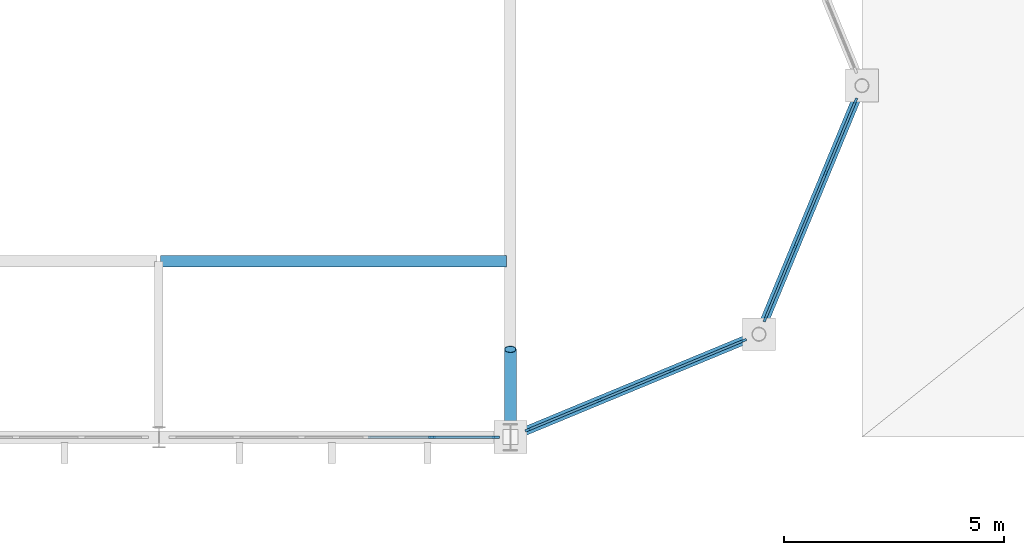
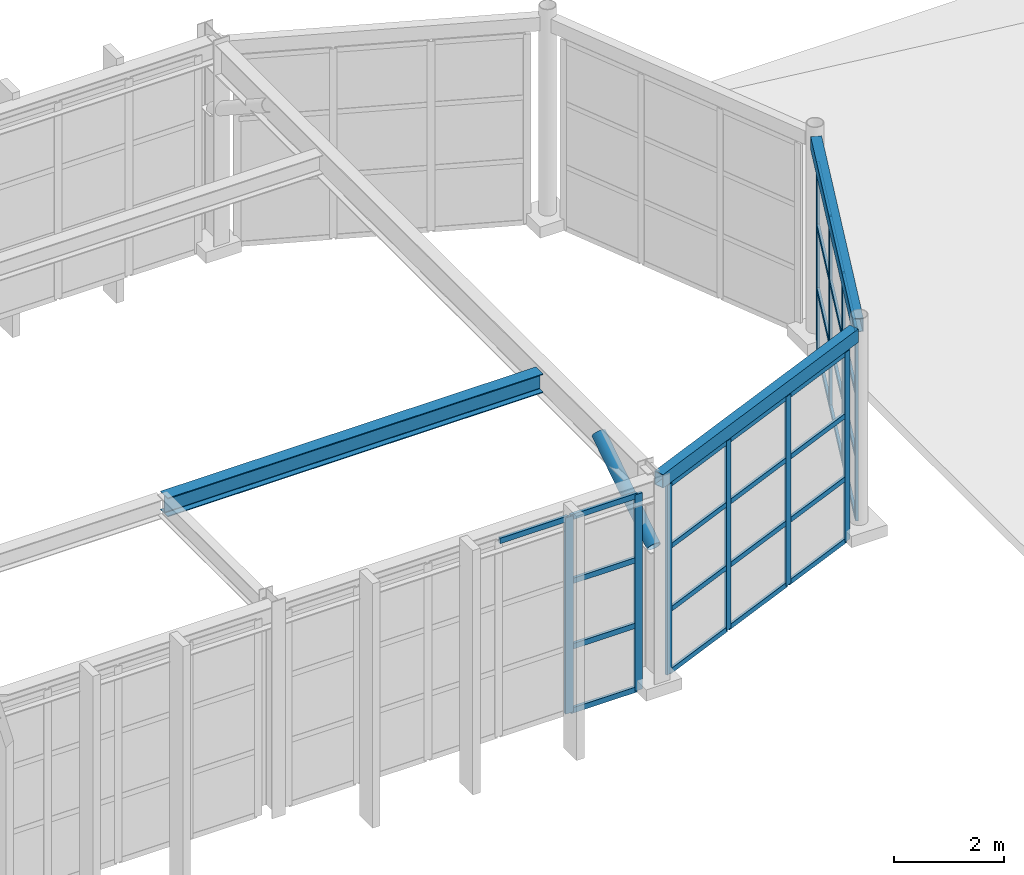
# One storey, part 31 of 61: 40 members, 3 beams, 3 elements without a shape of their own.
"""IFC4 building model written with IfcOpenShell, lengths in metres."""

from ifc_helpers import new_model, si_unit, direction, frame, origin, origin_2d, place, context, subcontext, project, spatial, rectangle, hollow_rectangle, hollow_circle, i_section, extrude, material, material_profile, profile_set, type_object, element, aggregate, save


model = new_model("IFC4")

# Units and contexts
model_context = context("Model", 3, precision=1e-05, world=origin(), true_north=direction((0.0, 1.0)))
body_context = subcontext(model_context, "Body", "Model", "MODEL_VIEW")
ifc_project = project(units=[si_unit("LENGTHUNIT", "METRE"), si_unit("AREAUNIT", "SQUARE_METRE"), si_unit("VOLUMEUNIT", "CUBIC_METRE"), si_unit("PLANEANGLEUNIT", "RADIAN"), si_unit("MASSUNIT", "GRAM", prefix="KILO")], contexts=[model_context])

# Site, building, storey
site_placement = place(None, origin())
site = spatial("IfcSite", under=ifc_project, at=site_placement, CompositionType="ELEMENT")
building_placement = place(site_placement, origin())
building = spatial("IfcBuilding", under=site, at=building_placement, Name="Serraluz Foothill Cableway Terminal", CompositionType="ELEMENT")
storey_placement = place(building_placement, frame((0.0, 0.0, 15.0)))
storey = spatial("IfcBuildingStorey", under=building, at=storey_placement, Name="L03", CompositionType="ELEMENT", Elevation=15.0)

# Curtain wall, members
ifc_material_1 = material(Name="Architectural bronze alloy C28000", Category="aluminium")
curtain_wall_type_1 = type_object("IfcCurtainWallType", Name="TYP-CW-440X360", PredefinedType="NOTDEFINED", material=ifc_material_1)
curtain_wall_1_placement = place(storey_placement, origin())
curtain_wall_1 = element("IfcCurtainWall", 1, at=curtain_wall_1_placement, inside=storey, type_object=curtain_wall_type_1, Name="Ribbed Glazed Curtain Wall CW-V1-E-L03-3", PredefinedType="NOTDEFINED")
ifc_material_2 = material(Name="Extruded aluminium 6063-T6", Category="aluminium")
ifc_material_profile_1 = material_profile(ifc_material_2, rectangle(XDim=0.054931640625, YDim=0.139892578125, at=origin_2d()), Name="ALU MULLION 55x140")
ifc_profile_set_1 = profile_set([ifc_material_profile_1], Name="Extruded aluminium 6063-T6")
member_type_1 = type_object("IfcMemberType", Name="TYP-CW-MUL-55X140", PredefinedType="MULLION", material=ifc_profile_set_1)
member_1_placement = place(storey_placement, frame((159.85498046875, 63.64990234375, 0.0), z_axis=(0.0, 0.0, 1.0), x_axis=(0.923878982655, -0.382684759834, 0.0)))
member_1 = element("IfcMember", 2, at=member_1_placement, type_object=member_type_1, Name="CW-16 mullion 1", PredefinedType="MULLION", context=body_context, shape_type="SweptSolid", body=[
    extrude(rectangle(XDim=0.054931640625, YDim=0.139892578125, at=origin_2d()), origin(), (0.0, 0.0, 1.0), 4.199951171875),
])
member_2_placement = place(storey_placement, frame((159.174072265625, 62.006103515625, 0.0), z_axis=(0.0, 0.0, 1.0), x_axis=(0.923878982655, -0.382684759834, 0.0)))
member_2 = element("IfcMember", 3, at=member_2_placement, type_object=member_type_1, Name="CW-16 mullion 2", PredefinedType="MULLION", context=body_context, shape_type="SweptSolid", body=[
    extrude(rectangle(XDim=0.054931640625, YDim=0.139892578125, at=origin_2d()), origin(), (0.0, 0.0, 1.0), 4.199951171875),
])
member_3_placement = place(storey_placement, frame((158.482666015625, 60.3369140625, 0.0), z_axis=(0.0, 0.0, 1.0), x_axis=(0.923878982655, -0.382684759834, 0.0)))
member_3 = element("IfcMember", 4, at=member_3_placement, type_object=member_type_1, Name="CW-16 mullion 3", PredefinedType="MULLION", context=body_context, shape_type="SweptSolid", body=[
    extrude(rectangle(XDim=0.054931640625, YDim=0.139892578125, at=origin_2d()), origin(), (0.0, 0.0, 1.0), 4.199951171875),
])
member_4_placement = place(storey_placement, frame((157.802001953125, 58.693359375, 0.0), z_axis=(0.0, 0.0, 1.0), x_axis=(0.923878982655, -0.382684759834, 0.0)))
member_4 = element("IfcMember", 5, at=member_4_placement, type_object=member_type_1, Name="CW-16 mullion 4", PredefinedType="MULLION", context=body_context, shape_type="SweptSolid", body=[
    extrude(rectangle(XDim=0.054931640625, YDim=0.139892578125, at=origin_2d()), origin(), (0.0, 0.0, 1.0), 4.199951171875),
])

curtain_wall_type_2 = type_object("IfcCurtainWallType", Name="TYP-CW-380X420", PredefinedType="NOTDEFINED", material=ifc_material_1)
curtain_wall_2_placement = place(storey_placement, origin())
curtain_wall_2 = element("IfcCurtainWall", 6, at=curtain_wall_2_placement, inside=storey, type_object=curtain_wall_type_2, Name="Ribbed Glazed Curtain Wall CW-V1-E-L03-4", PredefinedType="NOTDEFINED")
member_5_placement = place(storey_placement, frame((157.306640625, 58.197998046875, 0.0), z_axis=(0.0, 0.0, 1.0), x_axis=(0.382681674752, -0.923880260537, 0.0)))
member_5 = element("IfcMember", 7, at=member_5_placement, type_object=member_type_1, Name="CW-17 mullion 1", PredefinedType="MULLION", context=body_context, shape_type="SweptSolid", body=[
    extrude(rectangle(XDim=0.054931640625, YDim=0.139892578125, at=origin_2d()), origin(), (0.0, 0.0, 1.0), 4.199951171875),
])
member_6_placement = place(storey_placement, frame((155.680419921875, 57.5244140625, 0.0), z_axis=(0.0, 0.0, 1.0), x_axis=(0.382681674752, -0.923880260537, 0.0)))
member_6 = element("IfcMember", 8, at=member_6_placement, type_object=member_type_1, Name="CW-17 mullion 2", PredefinedType="MULLION", context=body_context, shape_type="SweptSolid", body=[
    extrude(rectangle(XDim=0.054931640625, YDim=0.139892578125, at=origin_2d()), origin(), (0.0, 0.0, 1.0), 4.199951171875),
])
member_7_placement = place(storey_placement, frame((154.028564453125, 56.84033203125, 0.0), z_axis=(0.0, 0.0, 1.0), x_axis=(0.382681674752, -0.923880260537, 0.0)))
member_7 = element("IfcMember", 9, at=member_7_placement, type_object=member_type_1, Name="CW-17 mullion 3", PredefinedType="MULLION", context=body_context, shape_type="SweptSolid", body=[
    extrude(rectangle(XDim=0.054931640625, YDim=0.139892578125, at=origin_2d()), origin(), (0.0, 0.0, 1.0), 4.199951171875),
])
member_8_placement = place(storey_placement, frame((152.40234375, 56.16650390625, 0.0), z_axis=(0.0, 0.0, 1.0), x_axis=(0.382681674752, -0.923880260537, 0.0)))
member_8 = element("IfcMember", 10, at=member_8_placement, type_object=member_type_1, Name="CW-17 mullion 4", PredefinedType="MULLION", context=body_context, shape_type="SweptSolid", body=[
    extrude(rectangle(XDim=0.054931640625, YDim=0.139892578125, at=origin_2d()), origin(), (0.0, 0.0, 1.0), 4.199951171875),
])

curtain_wall_type_3 = type_object("IfcCurtainWallType", Name="TYP-CW-1120X420", PredefinedType="NOTDEFINED", material=ifc_material_1)
curtain_wall_3_placement = place(storey_placement, origin())
curtain_wall_3 = element("IfcCurtainWall", 11, at=curtain_wall_3_placement, inside=storey, type_object=curtain_wall_type_3, Name="Ribbed Glazed Curtain Wall CW-V1S-L03-144", PredefinedType="NOTDEFINED")
ifc_material_profile_2 = material_profile(ifc_material_1, rectangle(XDim=0.06005859375, YDim=0.159912109375, at=origin_2d()), Name="ALU MULLION 60x160")
ifc_profile_set_2 = profile_set([ifc_material_profile_2], Name="Architectural bronze alloy C28000")
member_type_2 = type_object("IfcMemberType", Name="TYP-CW-MUL-60X160", PredefinedType="MULLION", material=ifc_profile_set_2)
member_9_placement = place(storey_placement, frame((151.66748046875, 56.0, 0.0), z_axis=(0.0, 0.0, 1.0), x_axis=(0.0, -1.0, 0.0)))
member_9 = element("IfcMember", 12, at=member_9_placement, type_object=member_type_2, Name="CW-21 mullion 1", PredefinedType="MULLION", context=body_context, shape_type="SweptSolid", body=[
    extrude(rectangle(XDim=0.06005859375, YDim=0.159912109375, at=origin_2d()), origin(), (0.0, 0.0, 1.0), 4.35009765625),
])
member_10_placement = place(storey_placement, frame((150.21435546875, 56.0, 0.0), z_axis=(0.0, 0.0, 1.0), x_axis=(0.0, -1.0, 0.0)))
member_10 = element("IfcMember", 13, at=member_10_placement, type_object=member_type_2, Name="CW-21 mullion 2", PredefinedType="MULLION", context=body_context, shape_type="SweptSolid", body=[
    extrude(rectangle(XDim=0.06005859375, YDim=0.159912109375, at=origin_2d()), origin(), (0.0, 0.0, 1.0), 4.35009765625),
])

# Member
ifc_material_profile_3 = material_profile(ifc_material_2, rectangle(XDim=0.054931640625, YDim=0.110107421875, at=origin_2d()), Name="ALU TRANSOM 55x110")
ifc_profile_set_3 = profile_set([ifc_material_profile_3], Name="Extruded aluminium 6063-T6")
member_type_3 = type_object("IfcMemberType", Name="TYP-CW-TRN-55X110", PredefinedType="USERDEFINED", material=ifc_profile_set_3)
member_11_placement = place(storey_placement, frame((159.844482421875, 63.624267578125, 0.027587890625), z_axis=(-0.382764500292, -0.92384594891, 0.0), x_axis=(0.92384594891, -0.382764500292, 0.0)))
member_11 = element("IfcMember", 14, at=member_11_placement, type_object=member_type_3, Name="CW-16 transom 1.1", ObjectType="TRANSOM", PredefinedType="USERDEFINED", context=body_context, shape_type="SweptSolid", body=[
    extrude(rectangle(XDim=0.054931640625, YDim=0.110107421875, at=origin_2d()), origin(), (0.0, 0.0, 1.0), 1.72412109375),
])

member_12_placement = place(storey_placement, frame((159.844482421875, 63.624267578125, 1.39990234375), z_axis=(-0.382764500292, -0.92384594891, 0.0), x_axis=(0.92384594891, -0.382764500292, 0.0)))
member_12 = element("IfcMember", 15, at=member_12_placement, type_object=member_type_3, Name="CW-16 transom 1.2", ObjectType="TRANSOM", PredefinedType="USERDEFINED", context=body_context, shape_type="SweptSolid", body=[
    extrude(rectangle(XDim=0.054931640625, YDim=0.110107421875, at=origin_2d()), origin(), (0.0, 0.0, 1.0), 1.72412109375),
])

member_13_placement = place(storey_placement, frame((159.844482421875, 63.624267578125, 2.800048828125), z_axis=(-0.382764500292, -0.92384594891, 0.0), x_axis=(0.92384594891, -0.382764500292, 0.0)))
member_13 = element("IfcMember", 16, at=member_13_placement, type_object=member_type_3, Name="CW-16 transom 1.3", ObjectType="TRANSOM", PredefinedType="USERDEFINED", context=body_context, shape_type="SweptSolid", body=[
    extrude(rectangle(XDim=0.054931640625, YDim=0.110107421875, at=origin_2d()), origin(), (0.0, 0.0, 1.0), 1.72412109375),
])

member_14_placement = place(storey_placement, frame((159.844482421875, 63.624267578125, 4.172607421875), z_axis=(-0.382764500292, -0.92384594891, 0.0), x_axis=(0.92384594891, -0.382764500292, 0.0)))
member_14 = element("IfcMember", 17, at=member_14_placement, type_object=member_type_3, Name="CW-16 transom 1.4", ObjectType="TRANSOM", PredefinedType="USERDEFINED", context=body_context, shape_type="SweptSolid", body=[
    extrude(rectangle(XDim=0.054931640625, YDim=0.110107421875, at=origin_2d()), origin(), (0.0, 0.0, 1.0), 1.72412109375),
])

member_15_placement = place(storey_placement, frame((159.16357421875, 61.980712890625, 0.027587890625), z_axis=(-0.382585676577, -0.923920018226, 0.0), x_axis=(0.923920018226, -0.382585676577, 0.0)))
member_15 = element("IfcMember", 18, at=member_15_placement, type_object=member_type_3, Name="CW-16 transom 2.1", ObjectType="TRANSOM", PredefinedType="USERDEFINED", context=body_context, shape_type="SweptSolid", body=[
    extrude(rectangle(XDim=0.054931640625, YDim=0.110107421875, at=origin_2d()), origin(), (0.0, 0.0, 1.0), 1.751708984375),
])

member_16_placement = place(storey_placement, frame((159.16357421875, 61.980712890625, 1.39990234375), z_axis=(-0.382585676577, -0.923920018226, 0.0), x_axis=(0.923920018226, -0.382585676577, 0.0)))
member_16 = element("IfcMember", 19, at=member_16_placement, type_object=member_type_3, Name="CW-16 transom 2.2", ObjectType="TRANSOM", PredefinedType="USERDEFINED", context=body_context, shape_type="SweptSolid", body=[
    extrude(rectangle(XDim=0.054931640625, YDim=0.110107421875, at=origin_2d()), origin(), (0.0, 0.0, 1.0), 1.751708984375),
])

member_17_placement = place(storey_placement, frame((159.16357421875, 61.980712890625, 2.800048828125), z_axis=(-0.382585676577, -0.923920018226, 0.0), x_axis=(0.923920018226, -0.382585676577, 0.0)))
member_17 = element("IfcMember", 20, at=member_17_placement, type_object=member_type_3, Name="CW-16 transom 2.3", ObjectType="TRANSOM", PredefinedType="USERDEFINED", context=body_context, shape_type="SweptSolid", body=[
    extrude(rectangle(XDim=0.054931640625, YDim=0.110107421875, at=origin_2d()), origin(), (0.0, 0.0, 1.0), 1.751708984375),
])

member_18_placement = place(storey_placement, frame((159.16357421875, 61.980712890625, 4.172607421875), z_axis=(-0.382585676577, -0.923920018226, 0.0), x_axis=(0.923920018226, -0.382585676577, 0.0)))
member_18 = element("IfcMember", 21, at=member_18_placement, type_object=member_type_3, Name="CW-16 transom 2.4", ObjectType="TRANSOM", PredefinedType="USERDEFINED", context=body_context, shape_type="SweptSolid", body=[
    extrude(rectangle(XDim=0.054931640625, YDim=0.110107421875, at=origin_2d()), origin(), (0.0, 0.0, 1.0), 1.751708984375),
])

member_19_placement = place(storey_placement, frame((158.47216796875, 60.3115234375, 0.027587890625), z_axis=(-0.382643629872, -0.923896018239, 0.0), x_axis=(0.923896018239, -0.382643629872, 0.0)))
member_19 = element("IfcMember", 22, at=member_19_placement, type_object=member_type_3, Name="CW-16 transom 3.1", ObjectType="TRANSOM", PredefinedType="USERDEFINED", context=body_context, shape_type="SweptSolid", body=[
    extrude(rectangle(XDim=0.054931640625, YDim=0.110107421875, at=origin_2d()), origin(), (0.0, 0.0, 1.0), 1.723876953125),
])

member_20_placement = place(storey_placement, frame((158.47216796875, 60.3115234375, 1.39990234375), z_axis=(-0.382643629872, -0.923896018239, 0.0), x_axis=(0.923896018239, -0.382643629872, 0.0)))
member_20 = element("IfcMember", 23, at=member_20_placement, type_object=member_type_3, Name="CW-16 transom 3.2", ObjectType="TRANSOM", PredefinedType="USERDEFINED", context=body_context, shape_type="SweptSolid", body=[
    extrude(rectangle(XDim=0.054931640625, YDim=0.110107421875, at=origin_2d()), origin(), (0.0, 0.0, 1.0), 1.723876953125),
])

member_21_placement = place(storey_placement, frame((158.47216796875, 60.3115234375, 2.800048828125), z_axis=(-0.382643629872, -0.923896018239, 0.0), x_axis=(0.923896018239, -0.382643629872, 0.0)))
member_21 = element("IfcMember", 24, at=member_21_placement, type_object=member_type_3, Name="CW-16 transom 3.3", ObjectType="TRANSOM", PredefinedType="USERDEFINED", context=body_context, shape_type="SweptSolid", body=[
    extrude(rectangle(XDim=0.054931640625, YDim=0.110107421875, at=origin_2d()), origin(), (0.0, 0.0, 1.0), 1.723876953125),
])

member_22_placement = place(storey_placement, frame((158.47216796875, 60.3115234375, 4.172607421875), z_axis=(-0.382643629872, -0.923896018239, 0.0), x_axis=(0.923896018239, -0.382643629872, 0.0)))
member_22 = element("IfcMember", 25, at=member_22_placement, type_object=member_type_3, Name="CW-16 transom 3.4", ObjectType="TRANSOM", PredefinedType="USERDEFINED", context=body_context, shape_type="SweptSolid", body=[
    extrude(rectangle(XDim=0.054931640625, YDim=0.110107421875, at=origin_2d()), origin(), (0.0, 0.0, 1.0), 1.723876953125),
])

aggregate(curtain_wall_1, [member_1, member_2, member_3, member_4, member_11, member_12, member_13, member_14, member_15, member_16, member_17, member_18, member_19, member_20, member_21, member_22])

member_23_placement = place(storey_placement, frame((157.28125, 58.1875, 0.027587890625), z_axis=(-0.923875488976, -0.382693194178, 0.0), x_axis=(0.382693194178, -0.923875488976, 0.0)))
member_23 = element("IfcMember", 26, at=member_23_placement, type_object=member_type_3, Name="CW-17 transom 1.1", ObjectType="TRANSOM", PredefinedType="USERDEFINED", context=body_context, shape_type="SweptSolid", body=[
    extrude(rectangle(XDim=0.054931640625, YDim=0.110107421875, at=origin_2d()), origin(), (0.0, 0.0, 1.0), 1.705322265625),
])

member_24_placement = place(storey_placement, frame((157.28125, 58.1875, 1.39990234375), z_axis=(-0.923875488976, -0.382693194178, 0.0), x_axis=(0.382693194178, -0.923875488976, 0.0)))
member_24 = element("IfcMember", 27, at=member_24_placement, type_object=member_type_3, Name="CW-17 transom 1.2", ObjectType="TRANSOM", PredefinedType="USERDEFINED", context=body_context, shape_type="SweptSolid", body=[
    extrude(rectangle(XDim=0.054931640625, YDim=0.110107421875, at=origin_2d()), origin(), (0.0, 0.0, 1.0), 1.705322265625),
])

member_25_placement = place(storey_placement, frame((157.28125, 58.1875, 2.800048828125), z_axis=(-0.923875488976, -0.382693194178, 0.0), x_axis=(0.382693194178, -0.923875488976, 0.0)))
member_25 = element("IfcMember", 28, at=member_25_placement, type_object=member_type_3, Name="CW-17 transom 1.3", ObjectType="TRANSOM", PredefinedType="USERDEFINED", context=body_context, shape_type="SweptSolid", body=[
    extrude(rectangle(XDim=0.054931640625, YDim=0.110107421875, at=origin_2d()), origin(), (0.0, 0.0, 1.0), 1.705322265625),
])

member_26_placement = place(storey_placement, frame((157.28125, 58.1875, 4.172607421875), z_axis=(-0.923875488976, -0.382693194178, 0.0), x_axis=(0.382693194178, -0.923875488976, 0.0)))
member_26 = element("IfcMember", 29, at=member_26_placement, type_object=member_type_3, Name="CW-17 transom 1.4", ObjectType="TRANSOM", PredefinedType="USERDEFINED", context=body_context, shape_type="SweptSolid", body=[
    extrude(rectangle(XDim=0.054931640625, YDim=0.110107421875, at=origin_2d()), origin(), (0.0, 0.0, 1.0), 1.705322265625),
])

member_27_placement = place(storey_placement, frame((155.655029296875, 57.513916015625, 0.027587890625), z_axis=(-0.923900079523, -0.382633823724, 0.0), x_axis=(0.382633823724, -0.923900079523, 0.0)))
member_27 = element("IfcMember", 30, at=member_27_placement, type_object=member_type_3, Name="CW-17 transom 2.1", ObjectType="TRANSOM", PredefinedType="USERDEFINED", context=body_context, shape_type="SweptSolid", body=[
    extrude(rectangle(XDim=0.054931640625, YDim=0.110107421875, at=origin_2d()), origin(), (0.0, 0.0, 1.0), 1.73291015625),
])

member_28_placement = place(storey_placement, frame((155.655029296875, 57.513916015625, 1.39990234375), z_axis=(-0.923900079523, -0.382633823724, 0.0), x_axis=(0.382633823724, -0.923900079523, 0.0)))
member_28 = element("IfcMember", 31, at=member_28_placement, type_object=member_type_3, Name="CW-17 transom 2.2", ObjectType="TRANSOM", PredefinedType="USERDEFINED", context=body_context, shape_type="SweptSolid", body=[
    extrude(rectangle(XDim=0.054931640625, YDim=0.110107421875, at=origin_2d()), origin(), (0.0, 0.0, 1.0), 1.73291015625),
])

member_29_placement = place(storey_placement, frame((155.655029296875, 57.513916015625, 2.800048828125), z_axis=(-0.923900079523, -0.382633823724, 0.0), x_axis=(0.382633823724, -0.923900079523, 0.0)))
member_29 = element("IfcMember", 32, at=member_29_placement, type_object=member_type_3, Name="CW-17 transom 2.3", ObjectType="TRANSOM", PredefinedType="USERDEFINED", context=body_context, shape_type="SweptSolid", body=[
    extrude(rectangle(XDim=0.054931640625, YDim=0.110107421875, at=origin_2d()), origin(), (0.0, 0.0, 1.0), 1.73291015625),
])

member_30_placement = place(storey_placement, frame((155.655029296875, 57.513916015625, 4.172607421875), z_axis=(-0.923900079523, -0.382633823724, 0.0), x_axis=(0.382633823724, -0.923900079523, 0.0)))
member_30 = element("IfcMember", 33, at=member_30_placement, type_object=member_type_3, Name="CW-17 transom 2.4", ObjectType="TRANSOM", PredefinedType="USERDEFINED", context=body_context, shape_type="SweptSolid", body=[
    extrude(rectangle(XDim=0.054931640625, YDim=0.110107421875, at=origin_2d()), origin(), (0.0, 0.0, 1.0), 1.73291015625),
])

member_31_placement = place(storey_placement, frame((154.003173828125, 56.829833984375, 0.027587890625), z_axis=(-0.923875488976, -0.382693194178, 0.0), x_axis=(0.382693194178, -0.923875488976, 0.0)))
member_31 = element("IfcMember", 34, at=member_31_placement, type_object=member_type_3, Name="CW-17 transom 3.1", ObjectType="TRANSOM", PredefinedType="USERDEFINED", context=body_context, shape_type="SweptSolid", body=[
    extrude(rectangle(XDim=0.054931640625, YDim=0.110107421875, at=origin_2d()), origin(), (0.0, 0.0, 1.0), 1.705322265625),
])

member_32_placement = place(storey_placement, frame((154.003173828125, 56.829833984375, 1.39990234375), z_axis=(-0.923875488976, -0.382693194178, 0.0), x_axis=(0.382693194178, -0.923875488976, 0.0)))
member_32 = element("IfcMember", 35, at=member_32_placement, type_object=member_type_3, Name="CW-17 transom 3.2", ObjectType="TRANSOM", PredefinedType="USERDEFINED", context=body_context, shape_type="SweptSolid", body=[
    extrude(rectangle(XDim=0.054931640625, YDim=0.110107421875, at=origin_2d()), origin(), (0.0, 0.0, 1.0), 1.705322265625),
])

member_33_placement = place(storey_placement, frame((154.003173828125, 56.829833984375, 2.800048828125), z_axis=(-0.923875488976, -0.382693194178, 0.0), x_axis=(0.382693194178, -0.923875488976, 0.0)))
member_33 = element("IfcMember", 36, at=member_33_placement, type_object=member_type_3, Name="CW-17 transom 3.3", ObjectType="TRANSOM", PredefinedType="USERDEFINED", context=body_context, shape_type="SweptSolid", body=[
    extrude(rectangle(XDim=0.054931640625, YDim=0.110107421875, at=origin_2d()), origin(), (0.0, 0.0, 1.0), 1.705322265625),
])

member_34_placement = place(storey_placement, frame((154.003173828125, 56.829833984375, 4.172607421875), z_axis=(-0.923875488976, -0.382693194178, 0.0), x_axis=(0.382693194178, -0.923875488976, 0.0)))
member_34 = element("IfcMember", 37, at=member_34_placement, type_object=member_type_3, Name="CW-17 transom 3.4", ObjectType="TRANSOM", PredefinedType="USERDEFINED", context=body_context, shape_type="SweptSolid", body=[
    extrude(rectangle(XDim=0.054931640625, YDim=0.110107421875, at=origin_2d()), origin(), (0.0, 0.0, 1.0), 1.705322265625),
])

aggregate(curtain_wall_2, [member_5, member_6, member_7, member_8, member_23, member_24, member_25, member_26, member_27, member_28, member_29, member_30, member_31, member_32, member_33, member_34])

ifc_material_profile_4 = material_profile(ifc_material_1, rectangle(XDim=0.06005859375, YDim=0.1201171875, at=origin_2d()), Name="ALU TRANSOM 60x120")
ifc_profile_set_4 = profile_set([ifc_material_profile_4], Name="Architectural bronze alloy C28000")
member_type_4 = type_object("IfcMemberType", Name="TYP-CW-TRN-60X120", PredefinedType="USERDEFINED", material=ifc_profile_set_4)
member_35_placement = place(storey_placement, frame((151.637451171875, 56.0, 0.030029296875), z_axis=(-1.0, 0.0, 0.0), x_axis=(0.0, -1.0, 0.0)))
member_35 = element("IfcMember", 38, at=member_35_placement, type_object=member_type_4, Name="CW-21 transom 1.1", ObjectType="TRANSOM", PredefinedType="USERDEFINED", context=body_context, shape_type="SweptSolid", body=[
    extrude(rectangle(XDim=0.06005859375, YDim=0.1201171875, at=origin_2d()), origin(), (0.0, 0.0, 1.0), 1.39306640625),
])

member_36_placement = place(storey_placement, frame((151.637451171875, 56.0, 1.449951171875), z_axis=(-1.0, 0.0, 0.0), x_axis=(0.0, -1.0, 0.0)))
member_36 = element("IfcMember", 39, at=member_36_placement, type_object=member_type_4, Name="CW-21 transom 1.2", ObjectType="TRANSOM", PredefinedType="USERDEFINED", context=body_context, shape_type="SweptSolid", body=[
    extrude(rectangle(XDim=0.06005859375, YDim=0.1201171875, at=origin_2d()), origin(), (0.0, 0.0, 1.0), 1.39306640625),
])

member_37_placement = place(storey_placement, frame((151.637451171875, 56.0, 2.89990234375), z_axis=(-1.0, 0.0, 0.0), x_axis=(0.0, -1.0, 0.0)))
member_37 = element("IfcMember", 40, at=member_37_placement, type_object=member_type_4, Name="CW-21 transom 1.3", ObjectType="TRANSOM", PredefinedType="USERDEFINED", context=body_context, shape_type="SweptSolid", body=[
    extrude(rectangle(XDim=0.06005859375, YDim=0.1201171875, at=origin_2d()), origin(), (0.0, 0.0, 1.0), 1.39306640625),
])

member_38_placement = place(storey_placement, frame((151.637451171875, 56.0, 4.320068359375), z_axis=(-1.0, 0.0, 0.0), x_axis=(0.0, -1.0, 0.0)))
member_38 = element("IfcMember", 41, at=member_38_placement, type_object=member_type_4, Name="CW-21 transom 1.4", ObjectType="TRANSOM", PredefinedType="USERDEFINED", context=body_context, shape_type="SweptSolid", body=[
    extrude(rectangle(XDim=0.06005859375, YDim=0.1201171875, at=origin_2d()), origin(), (0.0, 0.0, 1.0), 1.39306640625),
])

member_39_placement = place(storey_placement, frame((150.184326171875, 56.0, 4.320068359375), z_axis=(-1.0, 0.0, 0.0), x_axis=(0.0, -1.0, 0.0)))
member_39 = element("IfcMember", 42, at=member_39_placement, type_object=member_type_4, Name="CW-21 transom 2.4", ObjectType="TRANSOM", PredefinedType="USERDEFINED", context=body_context, shape_type="SweptSolid", body=[
    extrude(rectangle(XDim=0.06005859375, YDim=0.1201171875, at=origin_2d()), origin(), (0.0, 0.0, 1.0), 1.42333984375),
])

aggregate(curtain_wall_3, [member_9, member_10, member_35, member_36, member_37, member_38, member_39])

# Beams
ifc_material_3 = material(Name="Steel ASTM A992 Grade 50", Category="steel")
ifc_material_profile_5 = material_profile(ifc_material_3, i_section(OverallWidth=0.260009765625, OverallDepth=0.4189453125, WebThickness=0.01171875, FlangeThickness=0.019287109375, FilletRadius=0.013916015625, at=origin_2d()), Name="W16X77")
ifc_profile_set_5 = profile_set([ifc_material_profile_5], Name="Steel ASTM A992 Grade 50")
beam_type_1 = type_object("IfcBeamType", Name="TYP-JS-W16X77", PredefinedType="JOIST", material=ifc_profile_set_5)
beam_placement = place(storey_placement, frame((144.0400390625, 60.0, 4.35009765625), z_axis=(1.0, 0.0, 0.0), x_axis=(0.0, 1.0, 0.0)))
element("IfcBeam", 43, at=beam_placement, inside=storey, type_object=beam_type_1, Name="Eaves Gallery Support Beam 144-60", PredefinedType="JOIST", context=body_context, shape_type="SweptSolid", body=[
    extrude(i_section(OverallWidth=0.260009765625, OverallDepth=0.4189453125, WebThickness=0.01171875, FlangeThickness=0.019287109375, FilletRadius=0.013916015625, at=origin_2d()), origin(), (0.0, 0.0, 1.0), 7.875),
])
ifc_material_4 = material(Name="Steel ASTM A572 Grade 50", Category="steel")
ifc_material_profile_6 = material_profile(ifc_material_4, hollow_rectangle(XDim=0.199951171875, YDim=0.300048828125, WallThickness=0.011962890625, at=origin_2d()), Name="HSS300X200X12")
ifc_profile_set_6 = profile_set([ifc_material_profile_6], Name="Steel ASTM A572 Grade 50")
beam_type_2 = type_object("IfcBeamType", Name="TYP-SP-HSS300X200", PredefinedType="SPANDREL", material=ifc_profile_set_6)
for number, where, z_axis, x_axis, name in (
    (44, (152.138671875, 56.057373046875, 4.449951171875), (0.923882435674, 0.382676423435, 0.0), (-0.382676423435, 0.923882435674, 0.0), "Curved End Ring Beam E-L03-1"),
    (45, (157.71435546875, 58.481689453125, 4.449951171875), (0.382676423435, 0.923882435674, 0.0), (-0.923882435674, 0.382676423435, 0.0), "Curved End Ring Beam E-L03-2"),
):
    element("IfcBeam", number, at=place(storey_placement, frame(where, z_axis=z_axis, x_axis=x_axis)), inside=storey, type_object=beam_type_2, Name=name, PredefinedType="SPANDREL", context=body_context, shape_type="SweptSolid", body=[
        extrude(hollow_rectangle(XDim=0.199951171875, YDim=0.300048828125, WallThickness=0.011962890625, at=origin_2d()), origin(), (0.0, 0.0, 1.0), 5.82275390625),
    ])

# Member
ifc_material_profile_7 = material_profile(ifc_material_4, hollow_circle(Radius=0.136474609375, WallThickness=0.011962890625, at=origin_2d()), Name="CHS273X12")
ifc_profile_set_7 = profile_set([ifc_material_profile_7], Name="Steel ASTM A572 Grade 50")
member_type_5 = type_object("IfcMemberType", Name="TYP-ST-CHS273", PredefinedType="STRUT", material=ifc_profile_set_7)
member_40_placement = place(storey_placement, frame((152.0, 56.0, 3.050048828125), z_axis=(0.0, 0.838434262763, 0.545002740383), x_axis=(-1.0, 0.0, 0.0)))
element("IfcMember", 46, at=member_40_placement, inside=storey, type_object=member_type_5, Name="Portal Knee Strut STRUT-TR-08-S", PredefinedType="STRUT", context=body_context, shape_type="SweptSolid", body=[
    extrude(hollow_circle(Radius=0.136474609375, WallThickness=0.011962890625, at=origin_2d()), origin(), (0.0, 0.0, 1.0), 2.385498046875),
])

save(model, "model.ifc")
